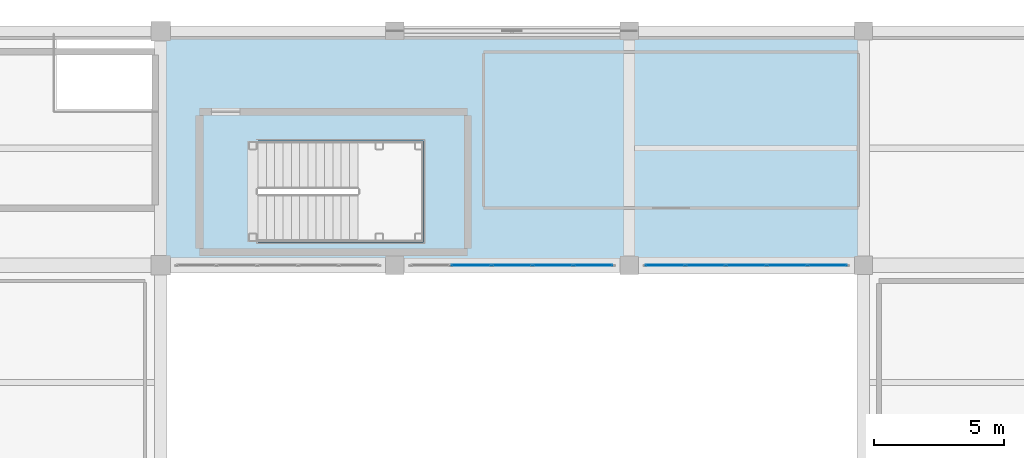
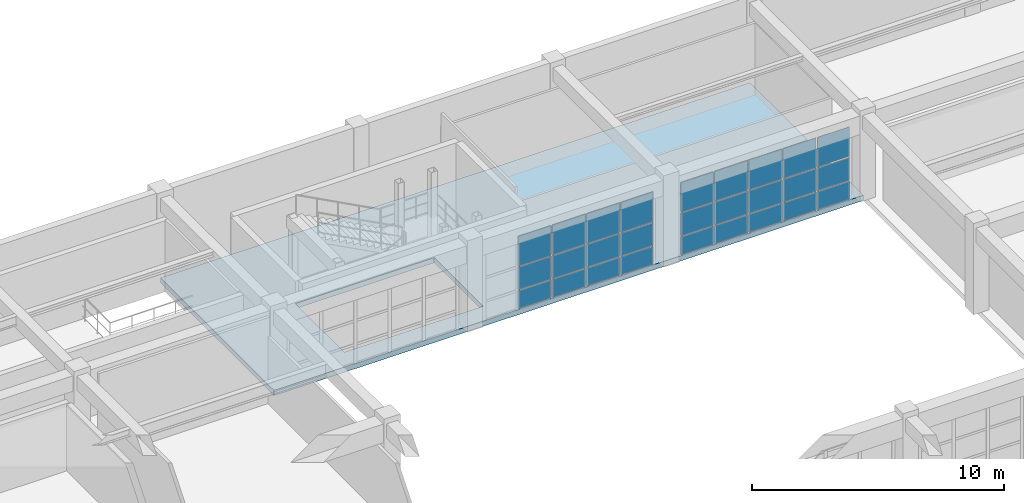
# One storey, part 100 of 133: 27 plates, 1 slab, 2 elements without a shape of their own.
"""IFC4 building model written with IfcOpenShell, lengths in metres."""

from ifc_helpers import new_model, si_unit, direction, frame, origin, origin_2d, place, context, subcontext, project, spatial, polyline, rectangle, outline, extrude, material, layer, layer_set, type_object, element, aggregate, save


model = new_model("IFC4")

# Units and contexts
model_context = context("Model", 3, precision=1e-05, world=origin(), true_north=direction((0.0, 1.0)))
body_context = subcontext(model_context, "Body", "Model", "MODEL_VIEW")
ifc_project = project(units=[si_unit("LENGTHUNIT", "METRE"), si_unit("AREAUNIT", "SQUARE_METRE"), si_unit("VOLUMEUNIT", "CUBIC_METRE"), si_unit("PLANEANGLEUNIT", "RADIAN"), si_unit("MASSUNIT", "GRAM", prefix="KILO")], contexts=[model_context])

# Site, building, storey
site_placement = place(None, origin())
site = spatial("IfcSite", under=ifc_project, at=site_placement, CompositionType="ELEMENT")
building_placement = place(site_placement, origin())
building = spatial("IfcBuilding", under=site, at=building_placement, Name="Miravela Opera House", CompositionType="ELEMENT")
storey_placement = place(building_placement, frame((0.0, 0.0, 5.10009765625)))
storey = spatial("IfcBuildingStorey", under=building, at=storey_placement, Name="L01", CompositionType="ELEMENT", Elevation=5.10009765625)

# Curtain wall, plates
ifc_material_1 = material(Name="Anodised architectural bronze aluminium 6063-T6", Category="aluminium")
curtain_wall_type = type_object("IfcCurtainWallType", Name="ARC-CW-05", PredefinedType="NOTDEFINED", material=ifc_material_1)
curtain_wall_1_placement = place(storey_placement, origin())
curtain_wall_1 = element("IfcCurtainWall", 1, at=curtain_wall_1_placement, inside=storey, type_object=curtain_wall_type, Name="Courtyard Arcade Curtain Wall CW-L01-173", PredefinedType="NOTDEFINED")
ifc_material_2 = material(Name="Acoustic laminated low-E insulating glass", Category="glass")
ifc_layer_1 = layer(ifc_material_2, 0.028076171875)
ifc_layer_set_1 = layer_set([ifc_layer_1])
plate_type = type_object("IfcPlateType", Name="ARC-CWP-28", PredefinedType="CURTAIN_PANEL", material=ifc_layer_set_1)
plate_1_placement = place(storey_placement, frame((128.931884765625, 103.0, 0.06005859375), z_axis=(0.0, 0.0, 1.0), x_axis=(1.0, 0.0, 0.0)))
plate_1 = element("IfcPlate", 2, at=plate_1_placement, type_object=plate_type, Name="CW-05 panel 2.1", PredefinedType="CURTAIN_PANEL", context=body_context, shape_type="SweptSolid", body=[
    extrude(rectangle(XDim=1.508056640625, YDim=0.028076171875, at=origin_2d()), origin(), (0.0, 0.0, 1.0), 0.860107421875),
])
plate_2_placement = place(storey_placement, frame((128.931884765625, 103.0, 0.97998046875), z_axis=(0.0, 0.0, 1.0), x_axis=(1.0, 0.0, 0.0)))
plate_2 = element("IfcPlate", 3, at=plate_2_placement, type_object=plate_type, Name="CW-05 panel 2.2", PredefinedType="CURTAIN_PANEL", context=body_context, shape_type="SweptSolid", body=[
    extrude(rectangle(XDim=1.508056640625, YDim=0.028076171875, at=origin_2d()), origin(), (0.0, 0.0, 1.0), 1.083740234375),
])
plate_3_placement = place(storey_placement, frame((128.931884765625, 103.0, 2.123779296875), z_axis=(0.0, 0.0, 1.0), x_axis=(1.0, 0.0, 0.0)))
plate_3 = element("IfcPlate", 4, at=plate_3_placement, type_object=plate_type, Name="CW-05 panel 2.3", PredefinedType="CURTAIN_PANEL", context=body_context, shape_type="SweptSolid", body=[
    extrude(rectangle(XDim=1.508056640625, YDim=0.028076171875, at=origin_2d()), origin(), (0.0, 0.0, 1.0), 1.42626953125),
])
plate_4_placement = place(storey_placement, frame((130.5, 103.0, 0.06005859375), z_axis=(0.0, 0.0, 1.0), x_axis=(1.0, 0.0, 0.0)))
plate_4 = element("IfcPlate", 5, at=plate_4_placement, type_object=plate_type, Name="CW-05 panel 3.1", PredefinedType="CURTAIN_PANEL", context=body_context, shape_type="SweptSolid", body=[
    extrude(rectangle(XDim=1.508056640625, YDim=0.028076171875, at=origin_2d()), origin(), (0.0, 0.0, 1.0), 0.860107421875),
])
plate_5_placement = place(storey_placement, frame((130.5, 103.0, 0.97998046875), z_axis=(0.0, 0.0, 1.0), x_axis=(1.0, 0.0, 0.0)))
plate_5 = element("IfcPlate", 6, at=plate_5_placement, type_object=plate_type, Name="CW-05 panel 3.2", PredefinedType="CURTAIN_PANEL", context=body_context, shape_type="SweptSolid", body=[
    extrude(rectangle(XDim=1.508056640625, YDim=0.028076171875, at=origin_2d()), origin(), (0.0, 0.0, 1.0), 1.083740234375),
])
plate_6_placement = place(storey_placement, frame((130.5, 103.0, 2.123779296875), z_axis=(0.0, 0.0, 1.0), x_axis=(1.0, 0.0, 0.0)))
plate_6 = element("IfcPlate", 7, at=plate_6_placement, type_object=plate_type, Name="CW-05 panel 3.3", PredefinedType="CURTAIN_PANEL", context=body_context, shape_type="SweptSolid", body=[
    extrude(rectangle(XDim=1.508056640625, YDim=0.028076171875, at=origin_2d()), origin(), (0.0, 0.0, 1.0), 1.42626953125),
])
plate_7_placement = place(storey_placement, frame((132.068115234375, 103.0, 0.06005859375), z_axis=(0.0, 0.0, 1.0), x_axis=(1.0, 0.0, 0.0)))
plate_7 = element("IfcPlate", 8, at=plate_7_placement, type_object=plate_type, Name="CW-05 panel 4.1", PredefinedType="CURTAIN_PANEL", context=body_context, shape_type="SweptSolid", body=[
    extrude(rectangle(XDim=1.508056640625, YDim=0.028076171875, at=origin_2d()), origin(), (0.0, 0.0, 1.0), 0.860107421875),
])
plate_8_placement = place(storey_placement, frame((132.068115234375, 103.0, 0.97998046875), z_axis=(0.0, 0.0, 1.0), x_axis=(1.0, 0.0, 0.0)))
plate_8 = element("IfcPlate", 9, at=plate_8_placement, type_object=plate_type, Name="CW-05 panel 4.2", PredefinedType="CURTAIN_PANEL", context=body_context, shape_type="SweptSolid", body=[
    extrude(rectangle(XDim=1.508056640625, YDim=0.028076171875, at=origin_2d()), origin(), (0.0, 0.0, 1.0), 1.083740234375),
])
plate_9_placement = place(storey_placement, frame((132.068115234375, 103.0, 2.123779296875), z_axis=(0.0, 0.0, 1.0), x_axis=(1.0, 0.0, 0.0)))
plate_9 = element("IfcPlate", 10, at=plate_9_placement, type_object=plate_type, Name="CW-05 panel 4.3", PredefinedType="CURTAIN_PANEL", context=body_context, shape_type="SweptSolid", body=[
    extrude(rectangle(XDim=1.508056640625, YDim=0.028076171875, at=origin_2d()), origin(), (0.0, 0.0, 1.0), 1.42626953125),
])
plate_10_placement = place(storey_placement, frame((133.62109375, 103.0, 0.06005859375), z_axis=(0.0, 0.0, 1.0), x_axis=(1.0, 0.0, 0.0)))
plate_10 = element("IfcPlate", 11, at=plate_10_placement, type_object=plate_type, Name="CW-05 panel 5.1", PredefinedType="CURTAIN_PANEL", context=body_context, shape_type="SweptSolid", body=[
    extrude(rectangle(XDim=1.47802734375, YDim=0.028076171875, at=origin_2d()), origin(), (0.0, 0.0, 1.0), 0.860107421875),
])
plate_11_placement = place(storey_placement, frame((133.62109375, 103.0, 0.97998046875), z_axis=(0.0, 0.0, 1.0), x_axis=(1.0, 0.0, 0.0)))
plate_11 = element("IfcPlate", 12, at=plate_11_placement, type_object=plate_type, Name="CW-05 panel 5.2", PredefinedType="CURTAIN_PANEL", context=body_context, shape_type="SweptSolid", body=[
    extrude(rectangle(XDim=1.47802734375, YDim=0.028076171875, at=origin_2d()), origin(), (0.0, 0.0, 1.0), 1.083740234375),
])
plate_12_placement = place(storey_placement, frame((133.62109375, 103.0, 2.123779296875), z_axis=(0.0, 0.0, 1.0), x_axis=(1.0, 0.0, 0.0)))
plate_12 = element("IfcPlate", 13, at=plate_12_placement, type_object=plate_type, Name="CW-05 panel 5.3", PredefinedType="CURTAIN_PANEL", context=body_context, shape_type="SweptSolid", body=[
    extrude(rectangle(XDim=1.47802734375, YDim=0.028076171875, at=origin_2d()), origin(), (0.0, 0.0, 1.0), 1.42626953125),
])
aggregate(curtain_wall_1, [plate_1, plate_2, plate_3, plate_4, plate_5, plate_6, plate_7, plate_8, plate_9, plate_10, plate_11, plate_12])

curtain_wall_2_placement = place(storey_placement, origin())
curtain_wall_2 = element("IfcCurtainWall", 14, at=curtain_wall_2_placement, inside=storey, type_object=curtain_wall_type, Name="Courtyard Arcade Curtain Wall CW-L01-177", PredefinedType="NOTDEFINED")
plate_13_placement = place(storey_placement, frame((136.37890625, 103.0, 0.06005859375), z_axis=(0.0, 0.0, 1.0), x_axis=(1.0, 0.0, 0.0)))
plate_13 = element("IfcPlate", 15, at=plate_13_placement, type_object=plate_type, Name="CW-05 panel 1.1", PredefinedType="CURTAIN_PANEL", context=body_context, shape_type="SweptSolid", body=[
    extrude(rectangle(XDim=1.47802734375, YDim=0.028076171875, at=origin_2d()), origin(), (0.0, 0.0, 1.0), 0.860107421875),
])
plate_14_placement = place(storey_placement, frame((136.37890625, 103.0, 0.97998046875), z_axis=(0.0, 0.0, 1.0), x_axis=(1.0, 0.0, 0.0)))
plate_14 = element("IfcPlate", 16, at=plate_14_placement, type_object=plate_type, Name="CW-05 panel 1.2", PredefinedType="CURTAIN_PANEL", context=body_context, shape_type="SweptSolid", body=[
    extrude(rectangle(XDim=1.47802734375, YDim=0.028076171875, at=origin_2d()), origin(), (0.0, 0.0, 1.0), 1.083740234375),
])
plate_15_placement = place(storey_placement, frame((136.37890625, 103.0, 2.123779296875), z_axis=(0.0, 0.0, 1.0), x_axis=(1.0, 0.0, 0.0)))
plate_15 = element("IfcPlate", 17, at=plate_15_placement, type_object=plate_type, Name="CW-05 panel 1.3", PredefinedType="CURTAIN_PANEL", context=body_context, shape_type="SweptSolid", body=[
    extrude(rectangle(XDim=1.47802734375, YDim=0.028076171875, at=origin_2d()), origin(), (0.0, 0.0, 1.0), 1.42626953125),
])
plate_16_placement = place(storey_placement, frame((137.931884765625, 103.0, 0.06005859375), z_axis=(0.0, 0.0, 1.0), x_axis=(1.0, 0.0, 0.0)))
plate_16 = element("IfcPlate", 18, at=plate_16_placement, type_object=plate_type, Name="CW-05 panel 2.1", PredefinedType="CURTAIN_PANEL", context=body_context, shape_type="SweptSolid", body=[
    extrude(rectangle(XDim=1.508056640625, YDim=0.028076171875, at=origin_2d()), origin(), (0.0, 0.0, 1.0), 0.860107421875),
])
plate_17_placement = place(storey_placement, frame((137.931884765625, 103.0, 0.97998046875), z_axis=(0.0, 0.0, 1.0), x_axis=(1.0, 0.0, 0.0)))
plate_17 = element("IfcPlate", 19, at=plate_17_placement, type_object=plate_type, Name="CW-05 panel 2.2", PredefinedType="CURTAIN_PANEL", context=body_context, shape_type="SweptSolid", body=[
    extrude(rectangle(XDim=1.508056640625, YDim=0.028076171875, at=origin_2d()), origin(), (0.0, 0.0, 1.0), 1.083740234375),
])
plate_18_placement = place(storey_placement, frame((137.931884765625, 103.0, 2.123779296875), z_axis=(0.0, 0.0, 1.0), x_axis=(1.0, 0.0, 0.0)))
plate_18 = element("IfcPlate", 20, at=plate_18_placement, type_object=plate_type, Name="CW-05 panel 2.3", PredefinedType="CURTAIN_PANEL", context=body_context, shape_type="SweptSolid", body=[
    extrude(rectangle(XDim=1.508056640625, YDim=0.028076171875, at=origin_2d()), origin(), (0.0, 0.0, 1.0), 1.42626953125),
])
plate_19_placement = place(storey_placement, frame((139.5, 103.0, 0.06005859375), z_axis=(0.0, 0.0, 1.0), x_axis=(1.0, 0.0, 0.0)))
plate_19 = element("IfcPlate", 21, at=plate_19_placement, type_object=plate_type, Name="CW-05 panel 3.1", PredefinedType="CURTAIN_PANEL", context=body_context, shape_type="SweptSolid", body=[
    extrude(rectangle(XDim=1.508056640625, YDim=0.028076171875, at=origin_2d()), origin(), (0.0, 0.0, 1.0), 0.860107421875),
])
plate_20_placement = place(storey_placement, frame((139.5, 103.0, 0.97998046875), z_axis=(0.0, 0.0, 1.0), x_axis=(1.0, 0.0, 0.0)))
plate_20 = element("IfcPlate", 22, at=plate_20_placement, type_object=plate_type, Name="CW-05 panel 3.2", PredefinedType="CURTAIN_PANEL", context=body_context, shape_type="SweptSolid", body=[
    extrude(rectangle(XDim=1.508056640625, YDim=0.028076171875, at=origin_2d()), origin(), (0.0, 0.0, 1.0), 1.083740234375),
])
plate_21_placement = place(storey_placement, frame((139.5, 103.0, 2.123779296875), z_axis=(0.0, 0.0, 1.0), x_axis=(1.0, 0.0, 0.0)))
plate_21 = element("IfcPlate", 23, at=plate_21_placement, type_object=plate_type, Name="CW-05 panel 3.3", PredefinedType="CURTAIN_PANEL", context=body_context, shape_type="SweptSolid", body=[
    extrude(rectangle(XDim=1.508056640625, YDim=0.028076171875, at=origin_2d()), origin(), (0.0, 0.0, 1.0), 1.42626953125),
])
plate_22_placement = place(storey_placement, frame((141.068115234375, 103.0, 0.06005859375), z_axis=(0.0, 0.0, 1.0), x_axis=(1.0, 0.0, 0.0)))
plate_22 = element("IfcPlate", 24, at=plate_22_placement, type_object=plate_type, Name="CW-05 panel 4.1", PredefinedType="CURTAIN_PANEL", context=body_context, shape_type="SweptSolid", body=[
    extrude(rectangle(XDim=1.508056640625, YDim=0.028076171875, at=origin_2d()), origin(), (0.0, 0.0, 1.0), 0.860107421875),
])
plate_23_placement = place(storey_placement, frame((141.068115234375, 103.0, 0.97998046875), z_axis=(0.0, 0.0, 1.0), x_axis=(1.0, 0.0, 0.0)))
plate_23 = element("IfcPlate", 25, at=plate_23_placement, type_object=plate_type, Name="CW-05 panel 4.2", PredefinedType="CURTAIN_PANEL", context=body_context, shape_type="SweptSolid", body=[
    extrude(rectangle(XDim=1.508056640625, YDim=0.028076171875, at=origin_2d()), origin(), (0.0, 0.0, 1.0), 1.083740234375),
])
plate_24_placement = place(storey_placement, frame((141.068115234375, 103.0, 2.123779296875), z_axis=(0.0, 0.0, 1.0), x_axis=(1.0, 0.0, 0.0)))
plate_24 = element("IfcPlate", 26, at=plate_24_placement, type_object=plate_type, Name="CW-05 panel 4.3", PredefinedType="CURTAIN_PANEL", context=body_context, shape_type="SweptSolid", body=[
    extrude(rectangle(XDim=1.508056640625, YDim=0.028076171875, at=origin_2d()), origin(), (0.0, 0.0, 1.0), 1.42626953125),
])
plate_25_placement = place(storey_placement, frame((142.62109375, 103.0, 0.06005859375), z_axis=(0.0, 0.0, 1.0), x_axis=(1.0, 0.0, 0.0)))
plate_25 = element("IfcPlate", 27, at=plate_25_placement, type_object=plate_type, Name="CW-05 panel 5.1", PredefinedType="CURTAIN_PANEL", context=body_context, shape_type="SweptSolid", body=[
    extrude(rectangle(XDim=1.47802734375, YDim=0.028076171875, at=origin_2d()), origin(), (0.0, 0.0, 1.0), 0.860107421875),
])
plate_26_placement = place(storey_placement, frame((142.62109375, 103.0, 0.97998046875), z_axis=(0.0, 0.0, 1.0), x_axis=(1.0, 0.0, 0.0)))
plate_26 = element("IfcPlate", 28, at=plate_26_placement, type_object=plate_type, Name="CW-05 panel 5.2", PredefinedType="CURTAIN_PANEL", context=body_context, shape_type="SweptSolid", body=[
    extrude(rectangle(XDim=1.47802734375, YDim=0.028076171875, at=origin_2d()), origin(), (0.0, 0.0, 1.0), 1.083740234375),
])
plate_27_placement = place(storey_placement, frame((142.62109375, 103.0, 2.123779296875), z_axis=(0.0, 0.0, 1.0), x_axis=(1.0, 0.0, 0.0)))
plate_27 = element("IfcPlate", 29, at=plate_27_placement, type_object=plate_type, Name="CW-05 panel 5.3", PredefinedType="CURTAIN_PANEL", context=body_context, shape_type="SweptSolid", body=[
    extrude(rectangle(XDim=1.47802734375, YDim=0.028076171875, at=origin_2d()), origin(), (0.0, 0.0, 1.0), 1.42626953125),
])
aggregate(curtain_wall_2, [plate_13, plate_14, plate_15, plate_16, plate_17, plate_18, plate_19, plate_20, plate_21, plate_22, plate_23, plate_24, plate_25, plate_26, plate_27])

# Slab
ifc_material_3 = material(Name="Concrete C35/45", Category="concrete")
ifc_layer_2 = layer(ifc_material_3, 0.25)
ifc_layer_set_2 = layer_set([ifc_layer_2])
slab_type = type_object("IfcSlabType", Name="STR-SLAB-FLR-250", PredefinedType="FLOOR", material=ifc_layer_set_2)
slab_placement = place(storey_placement, frame((0.0, 0.0, -0.25)))
element("IfcSlab", 30, at=slab_placement, inside=storey, type_object=slab_type, Name="Level L01 Floor Slab SLAB-L01-V3T", PredefinedType="FLOOR", context=body_context, shape_type="SweptSolid", body=[
    extrude(outline(polyline([(117.0, 103.0), (144.0, 103.0), (144.0, 112.0), (117.0, 112.0), (117.0, 103.0)]), holes=[polyline([(120.739990234375, 103.89990234375), (127.10009765625, 103.89990234375), (127.10009765625, 107.780029296875), (120.739990234375, 107.780029296875), (120.739990234375, 103.89990234375)])]), origin(), (0.0, 0.0, 1.0), 0.25),
])

save(model, "model.ifc")
